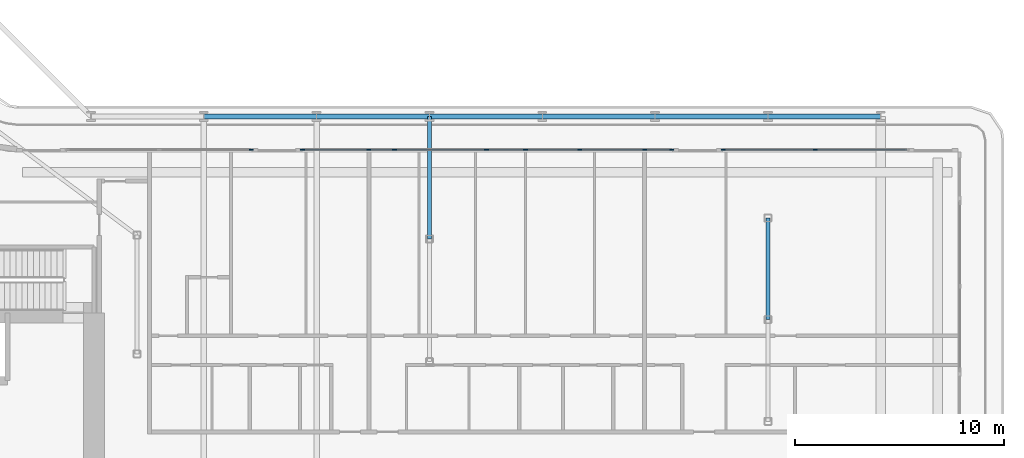
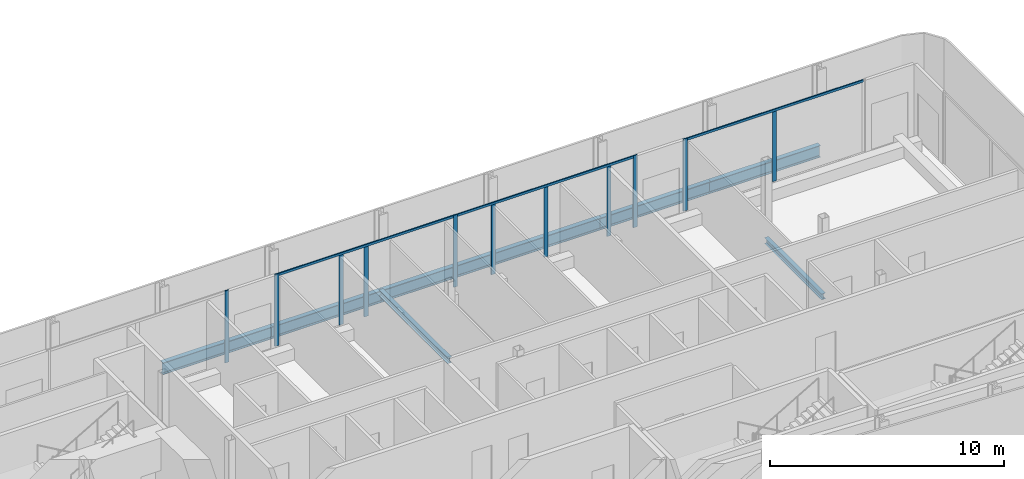
# One storey, part 6 of 28: 14 members, 8 beams, 4 elements without a shape of their own.
"""IFC4 building model written with IfcOpenShell, lengths in metres."""

from ifc_helpers import new_model, si_unit, direction, frame, origin, origin_2d, place, context, subcontext, project, spatial, rectangle, i_section, extrude, material, layer, layer_set, material_profile, profile_set, type_object, element, aggregate, save


model = new_model("IFC4")

# Units and contexts
model_context = context("Model", 3, precision=1e-05, world=origin(), true_north=direction((0.0, 1.0)))
body_context = subcontext(model_context, "Body", "Model", "MODEL_VIEW")
ifc_project = project(units=[si_unit("LENGTHUNIT", "METRE"), si_unit("AREAUNIT", "SQUARE_METRE"), si_unit("VOLUMEUNIT", "CUBIC_METRE"), si_unit("PLANEANGLEUNIT", "RADIAN"), si_unit("MASSUNIT", "GRAM", prefix="KILO")], contexts=[model_context])

# Site, building, storey
site_placement = place(None, origin())
site = spatial("IfcSite", under=ifc_project, at=site_placement, CompositionType="ELEMENT")
building_placement = place(site_placement, origin())
building = spatial("IfcBuilding", under=site, at=building_placement, Name="Kheshtan School and Residences Tower", CompositionType="ELEMENT")
storey_placement = place(building_placement, frame((0.0, 0.0, 42.199951171875)))
storey = spatial("IfcBuildingStorey", under=building, at=storey_placement, Name="L09", CompositionType="ELEMENT", Elevation=42.199951171875)

# Beams
ifc_material_1 = material(Name="Steel ASTM A992 Grade 50", Category="steel")
ifc_material_profile_1 = material_profile(ifc_material_1, i_section(OverallWidth=0.202880859375, OverallDepth=0.302978515625, WebThickness=0.007568359375, FlangeThickness=0.01318359375, FilletRadius=0.009033203125, at=origin_2d()), Name="W310x60")
ifc_profile_set_1 = profile_set([ifc_material_profile_1], Name="Steel ASTM A992 Grade 50")
beam_type_1 = type_object("IfcBeamType", Name="Beam FB1 W310x60 ASTM A992 Grade 50", PredefinedType="BEAM", material=ifc_profile_set_1)
beam_1_placement = place(storey_placement, frame((69.199951171875, 45.60009765625, -0.301513671875), z_axis=(0.0, -1.0, 0.0), x_axis=(1.0, 0.0, 0.0)))
element("IfcBeam", 1, at=beam_1_placement, inside=storey, type_object=beam_type_1, Name="Floor beam C064", PredefinedType="BEAM", context=body_context, shape_type="SweptSolid", body=[
    extrude(i_section(OverallWidth=0.202880859375, OverallDepth=0.302978515625, WebThickness=0.007568359375, FlangeThickness=0.01318359375, FilletRadius=0.009033203125, at=origin_2d()), origin(), (0.0, 0.0, 1.0), 5.8681640625),
])
beam_2_placement = place(storey_placement, frame((85.39990234375, 40.735107421875, -0.301513671875), z_axis=(0.0, -1.0, 0.0), x_axis=(1.0, 0.0, 0.0)))
element("IfcBeam", 2, at=beam_2_placement, inside=storey, type_object=beam_type_1, Name="Floor beam IC", PredefinedType="BEAM", context=body_context, shape_type="SweptSolid", body=[
    extrude(i_section(OverallWidth=0.202880859375, OverallDepth=0.302978515625, WebThickness=0.007568359375, FlangeThickness=0.01318359375, FilletRadius=0.009033203125, at=origin_2d()), origin(), (0.0, 0.0, 1.0), 4.864990234375),
])
ifc_material_profile_2 = material_profile(ifc_material_1, i_section(OverallWidth=0.22998046875, OverallDepth=0.616943359375, WebThickness=0.01318359375, FlangeThickness=0.022216796875, FilletRadius=0.0185546875, at=origin_2d()), Name="W610x140")
ifc_profile_set_2 = profile_set([ifc_material_profile_2], Name="Steel ASTM A992 Grade 50")
beam_type_2 = type_object("IfcBeamType", Name="Beam SP1 W610x140 ASTM A992 Grade 50", PredefinedType="BEAM", material=ifc_profile_set_2)
beam_3_placement = place(storey_placement, frame((58.39990234375, 45.60009765625, -0.45849609375), z_axis=(1.0, 0.0, 0.0), x_axis=(0.0, 1.0, 0.0)))
element("IfcBeam", 3, at=beam_3_placement, inside=storey, type_object=beam_type_2, Name="Spandrel beam C062-C063", PredefinedType="BEAM", context=body_context, shape_type="SweptSolid", body=[
    extrude(i_section(OverallWidth=0.22998046875, OverallDepth=0.616943359375, WebThickness=0.01318359375, FlangeThickness=0.022216796875, FilletRadius=0.0185546875, at=origin_2d()), origin(), (0.0, 0.0, 1.0), 5.400146484375),
])
beam_4_placement = place(storey_placement, frame((63.800048828125, 45.60009765625, -0.45849609375), z_axis=(1.0, 0.0, 0.0), x_axis=(0.0, 1.0, 0.0)))
element("IfcBeam", 4, at=beam_4_placement, inside=storey, type_object=beam_type_2, Name="Spandrel beam C063-C064", PredefinedType="BEAM", context=body_context, shape_type="SweptSolid", body=[
    extrude(i_section(OverallWidth=0.22998046875, OverallDepth=0.616943359375, WebThickness=0.01318359375, FlangeThickness=0.022216796875, FilletRadius=0.0185546875, at=origin_2d()), origin(), (0.0, 0.0, 1.0), 5.39990234375),
])
beam_5_placement = place(storey_placement, frame((69.199951171875, 45.60009765625, -0.45849609375), z_axis=(1.0, 0.0, 0.0), x_axis=(0.0, 1.0, 0.0)))
element("IfcBeam", 5, at=beam_5_placement, inside=storey, type_object=beam_type_2, Name="Spandrel beam C064-C065", PredefinedType="BEAM", context=body_context, shape_type="SweptSolid", body=[
    extrude(i_section(OverallWidth=0.22998046875, OverallDepth=0.616943359375, WebThickness=0.01318359375, FlangeThickness=0.022216796875, FilletRadius=0.0185546875, at=origin_2d()), origin(), (0.0, 0.0, 1.0), 5.400146484375),
])
for number, where, z_axis, x_axis, name in (
    (6, (74.60009765625, 45.60009765625, -0.45849609375), (1.0, 0.0, 0.0), (0.0, 1.0, 0.0), "Spandrel beam C065-C066"),
    (7, (80.0, 45.60009765625, -0.45849609375), (1.0, 0.0, 0.0), (0.0, 1.0, 0.0), "Spandrel beam C066-C067"),
):
    element("IfcBeam", number, at=place(storey_placement, frame(where, z_axis=z_axis, x_axis=x_axis)), inside=storey, type_object=beam_type_2, Name=name, PredefinedType="BEAM", context=body_context, shape_type="SweptSolid", body=[
        extrude(i_section(OverallWidth=0.22998046875, OverallDepth=0.616943359375, WebThickness=0.01318359375, FlangeThickness=0.022216796875, FilletRadius=0.0185546875, at=origin_2d()), origin(), (0.0, 0.0, 1.0), 5.39990234375),
    ])
beam_6_placement = place(storey_placement, frame((85.39990234375, 45.60009765625, -0.45849609375), z_axis=(1.0, 0.0, 0.0), x_axis=(0.0, 1.0, 0.0)))
element("IfcBeam", 8, at=beam_6_placement, inside=storey, type_object=beam_type_2, Name="Spandrel beam C067-C068", PredefinedType="BEAM", context=body_context, shape_type="SweptSolid", body=[
    extrude(i_section(OverallWidth=0.22998046875, OverallDepth=0.616943359375, WebThickness=0.01318359375, FlangeThickness=0.022216796875, FilletRadius=0.0185546875, at=origin_2d()), origin(), (0.0, 0.0, 1.0), 5.400146484375),
])

# Curtain wall, member
ifc_material_2 = material(Name="Clear low-e glass in thermally broken aluminium frame", Category="aluminium")
ifc_layer = layer(ifc_material_2, 0.199951171875)
ifc_layer_set = layer_set([ifc_layer], Name="Curtain wall CW-L")
curtain_wall_type = type_object("IfcCurtainWallType", Name="Curtain wall CW-L", PredefinedType="NOTDEFINED", material=ifc_layer_set)
curtain_wall_1_placement = place(storey_placement, origin())
curtain_wall_1 = element("IfcCurtainWall", 9, at=curtain_wall_1_placement, inside=storey, type_object=curtain_wall_type, Name="Curtain wall CWL12f", PredefinedType="NOTDEFINED")
ifc_material_3 = material(Name="Thermally broken aluminium, dark bronze anodised", Category="aluminium")
ifc_material_profile_3 = material_profile(ifc_material_3, rectangle(XDim=0.06005859375, YDim=0.199951171875, at=origin_2d()), Name="CW-L mullion 60x200")
ifc_profile_set_3 = profile_set([ifc_material_profile_3], Name="Thermally broken aluminium, dark bronze anodised")
member_type_1 = type_object("IfcMemberType", Name="CW-L mullion 60x200", PredefinedType="MULLION", material=ifc_profile_set_3)
member_1_placement = place(storey_placement, frame((60.66748046875, 44.0, 0.0), z_axis=(0.0, 0.0, 1.0), x_axis=(0.0, 1.0, 0.0)))
member_1 = element("IfcMember", 10, at=member_1_placement, type_object=member_type_1, Name="CWL12f mullion 3", PredefinedType="MULLION", context=body_context, shape_type="SweptSolid", body=[
    extrude(rectangle(XDim=0.06005859375, YDim=0.199951171875, at=origin_2d()), origin(), (0.0, 0.0, 1.0), 3.75),
])
aggregate(curtain_wall_1, [member_1])

# Curtain wall, members
curtain_wall_2_placement = place(storey_placement, origin())
curtain_wall_2 = element("IfcCurtainWall", 11, at=curtain_wall_2_placement, inside=storey, type_object=curtain_wall_type, Name="Curtain wall CWL12g", PredefinedType="NOTDEFINED")
member_2_placement = place(storey_placement, frame((63.12744140625, 44.0, 0.0), z_axis=(0.0, 0.0, 1.0), x_axis=(0.0, 1.0, 0.0)))
member_2 = element("IfcMember", 12, at=member_2_placement, type_object=member_type_1, Name="CWL12g mullion 1", PredefinedType="MULLION", context=body_context, shape_type="SweptSolid", body=[
    extrude(rectangle(XDim=0.06005859375, YDim=0.199951171875, at=origin_2d()), origin(), (0.0, 0.0, 1.0), 3.75),
])
member_3_placement = place(storey_placement, frame((66.300048828125, 44.0, 0.0), z_axis=(0.0, 0.0, 1.0), x_axis=(0.0, 1.0, 0.0)))
member_3 = element("IfcMember", 13, at=member_3_placement, type_object=member_type_1, Name="CWL12g mullion 2", PredefinedType="MULLION", context=body_context, shape_type="SweptSolid", body=[
    extrude(rectangle(XDim=0.06005859375, YDim=0.199951171875, at=origin_2d()), origin(), (0.0, 0.0, 1.0), 3.630126953125),
])
member_4_placement = place(storey_placement, frame((67.53125, 44.0, 0.0), z_axis=(0.0, 0.0, 1.0), x_axis=(0.0, 1.0, 0.0)))
member_4 = element("IfcMember", 14, at=member_4_placement, type_object=member_type_1, Name="CWL12g mullion 3", PredefinedType="MULLION", context=body_context, shape_type="SweptSolid", body=[
    extrude(rectangle(XDim=0.06005859375, YDim=0.199951171875, at=origin_2d()), origin(), (0.0, 0.0, 1.0), 3.630126953125),
])
member_5_placement = place(storey_placement, frame((71.93505859375, 44.0, 0.0), z_axis=(0.0, 0.0, 1.0), x_axis=(0.0, 1.0, 0.0)))
member_5 = element("IfcMember", 15, at=member_5_placement, type_object=member_type_1, Name="CWL12g mullion 4", PredefinedType="MULLION", context=body_context, shape_type="SweptSolid", body=[
    extrude(rectangle(XDim=0.06005859375, YDim=0.199951171875, at=origin_2d()), origin(), (0.0, 0.0, 1.0), 3.75),
])

curtain_wall_3_placement = place(storey_placement, origin())
curtain_wall_3 = element("IfcCurtainWall", 16, at=curtain_wall_3_placement, inside=storey, type_object=curtain_wall_type, Name="Curtain wall CWL12h", PredefinedType="NOTDEFINED")
member_6_placement = place(storey_placement, frame((73.800048828125, 44.0, 0.0), z_axis=(0.0, 0.0, 1.0), x_axis=(0.0, 1.0, 0.0)))
member_6 = element("IfcMember", 17, at=member_6_placement, type_object=member_type_1, Name="CWL12h mullion 2", PredefinedType="MULLION", context=body_context, shape_type="SweptSolid", body=[
    extrude(rectangle(XDim=0.06005859375, YDim=0.199951171875, at=origin_2d()), origin(), (0.0, 0.0, 1.0), 3.630126953125),
])
member_7_placement = place(storey_placement, frame((76.398681640625, 44.0, 0.0), z_axis=(0.0, 0.0, 1.0), x_axis=(0.0, 1.0, 0.0)))
member_7 = element("IfcMember", 18, at=member_7_placement, type_object=member_type_1, Name="CWL12h mullion 3", PredefinedType="MULLION", context=body_context, shape_type="SweptSolid", body=[
    extrude(rectangle(XDim=0.06005859375, YDim=0.199951171875, at=origin_2d()), origin(), (0.0, 0.0, 1.0), 3.630126953125),
])
member_8_placement = place(storey_placement, frame((79.5, 44.0, 0.0), z_axis=(0.0, 0.0, 1.0), x_axis=(0.0, 1.0, 0.0)))
member_8 = element("IfcMember", 19, at=member_8_placement, type_object=member_type_1, Name="CWL12h mullion 4", PredefinedType="MULLION", context=body_context, shape_type="SweptSolid", body=[
    extrude(rectangle(XDim=0.06005859375, YDim=0.199951171875, at=origin_2d()), origin(), (0.0, 0.0, 1.0), 3.630126953125),
])
member_9_placement = place(storey_placement, frame((80.802490234375, 44.0, 0.0), z_axis=(0.0, 0.0, 1.0), x_axis=(0.0, 1.0, 0.0)))
member_9 = element("IfcMember", 20, at=member_9_placement, type_object=member_type_1, Name="CWL12h mullion 5", PredefinedType="MULLION", context=body_context, shape_type="SweptSolid", body=[
    extrude(rectangle(XDim=0.06005859375, YDim=0.199951171875, at=origin_2d()), origin(), (0.0, 0.0, 1.0), 3.75),
])

curtain_wall_4_placement = place(storey_placement, origin())
curtain_wall_4 = element("IfcCurtainWall", 21, at=curtain_wall_4_placement, inside=storey, type_object=curtain_wall_type, Name="Curtain wall CWL12i", PredefinedType="NOTDEFINED")
member_10_placement = place(storey_placement, frame((83.262451171875, 44.0, 0.0), z_axis=(0.0, 0.0, 1.0), x_axis=(0.0, 1.0, 0.0)))
member_10 = element("IfcMember", 22, at=member_10_placement, type_object=member_type_1, Name="CWL12i mullion 1", PredefinedType="MULLION", context=body_context, shape_type="SweptSolid", body=[
    extrude(rectangle(XDim=0.06005859375, YDim=0.199951171875, at=origin_2d()), origin(), (0.0, 0.0, 1.0), 3.75),
])
member_11_placement = place(storey_placement, frame((87.666259765625, 44.0, 0.0), z_axis=(0.0, 0.0, 1.0), x_axis=(0.0, 1.0, 0.0)))
member_11 = element("IfcMember", 23, at=member_11_placement, type_object=member_type_1, Name="CWL12i mullion 2", PredefinedType="MULLION", context=body_context, shape_type="SweptSolid", body=[
    extrude(rectangle(XDim=0.06005859375, YDim=0.199951171875, at=origin_2d()), origin(), (0.0, 0.0, 1.0), 3.630126953125),
])

# Member
ifc_material_profile_4 = material_profile(ifc_material_3, rectangle(XDim=0.06005859375, YDim=0.1201171875, at=origin_2d()), Name="CW-L transom 60x120")
ifc_profile_set_4 = profile_set([ifc_material_profile_4], Name="Thermally broken aluminium, dark bronze anodised")
member_type_2 = type_object("IfcMemberType", Name="CW-L transom 60x120", PredefinedType="USERDEFINED", material=ifc_profile_set_4)
member_12_placement = place(storey_placement, frame((63.157470703125, 44.0, 3.68994140625), z_axis=(1.0, 0.0, 0.0), x_axis=(0.0, 1.0, 0.0)))
member_12 = element("IfcMember", 24, at=member_12_placement, type_object=member_type_2, Name="CWL12g transom 1", ObjectType="TRANSOM", PredefinedType="USERDEFINED", context=body_context, shape_type="SweptSolid", body=[
    extrude(rectangle(XDim=0.06005859375, YDim=0.1201171875, at=origin_2d()), origin(), (0.0, 0.0, 1.0), 8.74755859375),
])

aggregate(curtain_wall_2, [member_2, member_3, member_4, member_5, member_12])

member_13_placement = place(storey_placement, frame((71.965087890625, 44.0, 3.68994140625), z_axis=(1.0, 0.0, 0.0), x_axis=(0.0, 1.0, 0.0)))
member_13 = element("IfcMember", 25, at=member_13_placement, type_object=member_type_2, Name="CWL12h transom 1", ObjectType="TRANSOM", PredefinedType="USERDEFINED", context=body_context, shape_type="SweptSolid", body=[
    extrude(rectangle(XDim=0.06005859375, YDim=0.1201171875, at=origin_2d()), origin(), (0.0, 0.0, 1.0), 8.807373046875),
])

aggregate(curtain_wall_3, [member_6, member_7, member_8, member_9, member_13])

member_14_placement = place(storey_placement, frame((83.29248046875, 44.0, 3.68994140625), z_axis=(1.0, 0.0, 0.0), x_axis=(0.0, 1.0, 0.0)))
member_14 = element("IfcMember", 26, at=member_14_placement, type_object=member_type_2, Name="CWL12i transom 1", ObjectType="TRANSOM", PredefinedType="USERDEFINED", context=body_context, shape_type="SweptSolid", body=[
    extrude(rectangle(XDim=0.06005859375, YDim=0.1201171875, at=origin_2d()), origin(), (0.0, 0.0, 1.0), 8.74755859375),
])

aggregate(curtain_wall_4, [member_10, member_11, member_14])

save(model, "model.ifc")
